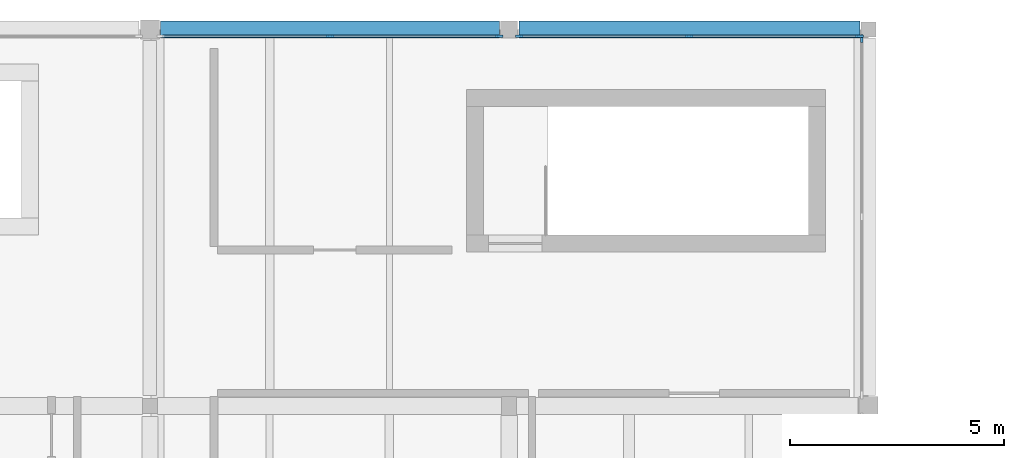
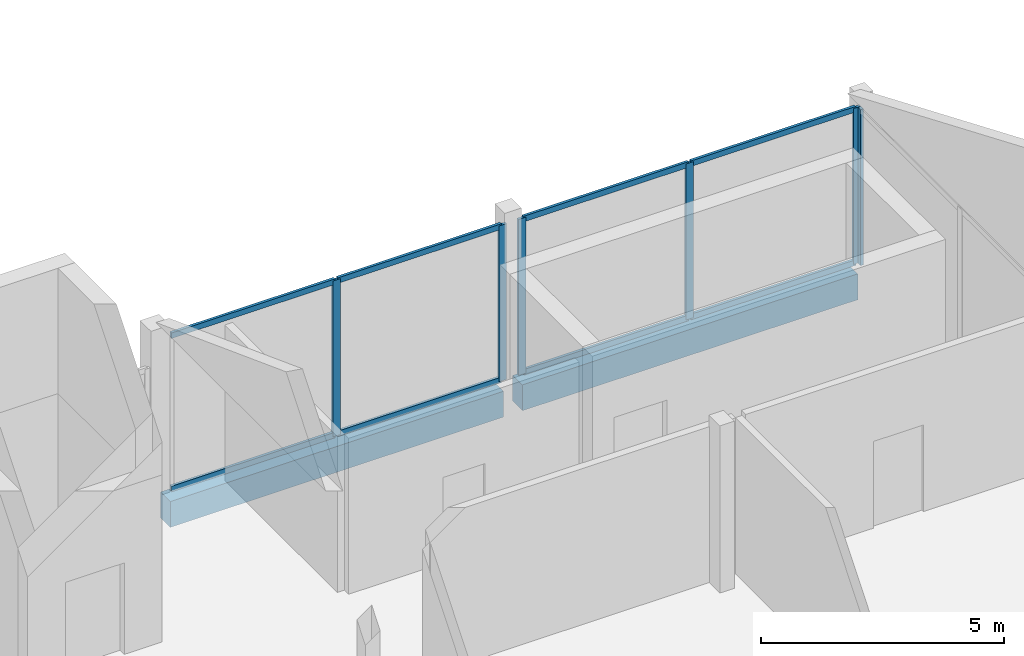
# One storey, part 3 of 13: 14 members, 2 beams, 3 elements without a shape of their own.
"""IFC4 building model written with IfcOpenShell, lengths in metres."""

from ifc_helpers import new_model, si_unit, direction, frame, origin, origin_2d, place, context, subcontext, project, spatial, rectangle, extrude, material, layer, layer_set, material_profile, profile_set, type_object, element, aggregate, save


model = new_model("IFC4")

# Units and contexts
model_context = context("Model", 3, precision=1e-05, world=origin(), true_north=direction((0.0, 1.0)))
body_context = subcontext(model_context, "Body", "Model", "MODEL_VIEW")
ifc_project = project(units=[si_unit("LENGTHUNIT", "METRE"), si_unit("AREAUNIT", "SQUARE_METRE"), si_unit("VOLUMEUNIT", "CUBIC_METRE"), si_unit("PLANEANGLEUNIT", "RADIAN"), si_unit("MASSUNIT", "GRAM", prefix="KILO")], contexts=[model_context])

# Site, building, storey
site_placement = place(None, origin())
site = spatial("IfcSite", under=ifc_project, at=site_placement, CompositionType="ELEMENT")
building_placement = place(site_placement, origin())
building = spatial("IfcBuilding", under=site, at=building_placement, Name="Birchvale Park Specialist Clinic", CompositionType="ELEMENT")
storey_placement = place(building_placement, frame((0.0, 0.0, 22.199951171875)))
storey = spatial("IfcBuildingStorey", under=building, at=storey_placement, Name="L05", CompositionType="ELEMENT", Elevation=22.199951171875)

# Beams
ifc_material_1 = material(Name="Concrete C40/50", Category="concrete")
ifc_material_profile_1 = material_profile(ifc_material_1, rectangle(XDim=0.39990234375, YDim=0.64990234375, at=origin_2d()), Name="RCB-400x650")
ifc_profile_set_1 = profile_set([ifc_material_profile_1], Name="Concrete C40/50")
beam_type = type_object("IfcBeamType", Name="BM-INT-BG4", PredefinedType="BEAM", material=ifc_profile_set_1)
beam_1_placement = place(storey_placement, frame((19.85009765625, 34.60009765625, -0.5849609375), z_axis=(1.0, 0.0, 0.0), x_axis=(0.0, 1.0, 0.0)))
element("IfcBeam", 1, at=beam_1_placement, inside=storey, type_object=beam_type, Name="V2 L05 X girder 8", PredefinedType="BEAM", context=body_context, shape_type="SweptSolid", body=[
    extrude(rectangle(XDim=0.39990234375, YDim=0.64990234375, at=origin_2d()), origin(), (0.0, 0.0, 1.0), 7.9248046875),
])
beam_2_placement = place(storey_placement, frame((28.22509765625, 34.60009765625, -0.5849609375), z_axis=(1.0, 0.0, 0.0), x_axis=(0.0, 1.0, 0.0)))
element("IfcBeam", 2, at=beam_2_placement, inside=storey, type_object=beam_type, Name="V2 L05 X girder 9", PredefinedType="BEAM", context=body_context, shape_type="SweptSolid", body=[
    extrude(rectangle(XDim=0.39990234375, YDim=0.64990234375, at=origin_2d()), origin(), (0.0, 0.0, 1.0), 7.974853515625),
])

# Curtain wall, member
ifc_material_2 = material(Name="Thermally broken anodised aluminium", Category="aluminium")
ifc_layer = layer(ifc_material_2, 0.195068359375)
ifc_layer_set = layer_set([ifc_layer], Name="Thermally broken anodised aluminium")
curtain_wall_type = type_object("IfcCurtainWallType", Name="CW-U2", PredefinedType="USERDEFINED", material=ifc_layer_set)
curtain_wall_1_placement = place(storey_placement, origin())
curtain_wall_1 = element("IfcCurtainWall", 3, at=curtain_wall_1_placement, inside=storey, type_object=curtain_wall_type, Name="V2 L05 glazed curtain wall 146", ObjectType="UNITISED", PredefinedType="USERDEFINED")
ifc_material_profile_2 = material_profile(ifc_material_2, rectangle(XDim=0.06494140625, YDim=0.179931640625, at=origin_2d()), Name="CWM-65x180")
ifc_profile_set_2 = profile_set([ifc_material_profile_2], Name="Thermally broken anodised aluminium")
member_type_1 = type_object("IfcMemberType", Name="CWM2", PredefinedType="MULLION", material=ifc_profile_set_2)
member_1_placement = place(storey_placement, frame((36.2451171875, 34.392578125, 0.0), z_axis=(0.0, 0.0, 1.0), x_axis=(-1.0, 0.0, 0.0)))
member_1 = element("IfcMember", 4, at=member_1_placement, type_object=member_type_1, Name="CW mullion 3", PredefinedType="MULLION", context=body_context, shape_type="SweptSolid", body=[
    extrude(rectangle(XDim=0.06494140625, YDim=0.179931640625, at=origin_2d()), origin(), (0.0, 0.0, 1.0), 3.920166015625),
])
aggregate(curtain_wall_1, [member_1])

# Curtain wall, members
curtain_wall_2_placement = place(storey_placement, origin())
curtain_wall_2 = element("IfcCurtainWall", 5, at=curtain_wall_2_placement, inside=storey, type_object=curtain_wall_type, Name="V2 L05 glazed curtain wall 147", ObjectType="UNITISED", PredefinedType="USERDEFINED")
member_2_placement = place(storey_placement, frame((36.1923828125, 34.445068359375, 0.0), z_axis=(0.0, 0.0, 1.0), x_axis=(0.0, -1.0, 0.0)))
member_2 = element("IfcMember", 6, at=member_2_placement, type_object=member_type_1, Name="CW mullion 1", PredefinedType="MULLION", context=body_context, shape_type="SweptSolid", body=[
    extrude(rectangle(XDim=0.06494140625, YDim=0.179931640625, at=origin_2d()), origin(), (0.0, 0.0, 1.0), 3.920166015625),
])
member_3_placement = place(storey_placement, frame((32.21240234375, 34.445068359375, 0.0), z_axis=(0.0, 0.0, 1.0), x_axis=(0.0, -1.0, 0.0)))
member_3 = element("IfcMember", 7, at=member_3_placement, type_object=member_type_1, Name="CW mullion 2", PredefinedType="MULLION", context=body_context, shape_type="SweptSolid", body=[
    extrude(rectangle(XDim=0.06494140625, YDim=0.179931640625, at=origin_2d()), origin(), (0.0, 0.0, 1.0), 3.920166015625),
])
member_4_placement = place(storey_placement, frame((28.232421875, 34.445068359375, 0.0), z_axis=(0.0, 0.0, 1.0), x_axis=(0.0, -1.0, 0.0)))
member_4 = element("IfcMember", 8, at=member_4_placement, type_object=member_type_1, Name="CW mullion 3", PredefinedType="MULLION", context=body_context, shape_type="SweptSolid", body=[
    extrude(rectangle(XDim=0.06494140625, YDim=0.179931640625, at=origin_2d()), origin(), (0.0, 0.0, 1.0), 3.920166015625),
])

curtain_wall_3_placement = place(storey_placement, origin())
curtain_wall_3 = element("IfcCurtainWall", 9, at=curtain_wall_3_placement, inside=storey, type_object=curtain_wall_type, Name="V2 L05 glazed curtain wall 148", ObjectType="UNITISED", PredefinedType="USERDEFINED")
member_5_placement = place(storey_placement, frame((27.767578125, 34.445068359375, 0.0), z_axis=(0.0, 0.0, 1.0), x_axis=(0.0, -1.0, 0.0)))
member_5 = element("IfcMember", 10, at=member_5_placement, type_object=member_type_1, Name="CW mullion 1", PredefinedType="MULLION", context=body_context, shape_type="SweptSolid", body=[
    extrude(rectangle(XDim=0.06494140625, YDim=0.179931640625, at=origin_2d()), origin(), (0.0, 0.0, 1.0), 3.920166015625),
])
member_6_placement = place(storey_placement, frame((23.8125, 34.445068359375, 0.0), z_axis=(0.0, 0.0, 1.0), x_axis=(0.0, -1.0, 0.0)))
member_6 = element("IfcMember", 11, at=member_6_placement, type_object=member_type_1, Name="CW mullion 2", PredefinedType="MULLION", context=body_context, shape_type="SweptSolid", body=[
    extrude(rectangle(XDim=0.06494140625, YDim=0.179931640625, at=origin_2d()), origin(), (0.0, 0.0, 1.0), 3.920166015625),
])

# Member
ifc_material_profile_3 = material_profile(ifc_material_2, rectangle(XDim=0.06494140625, YDim=0.139892578125, at=origin_2d()), Name="CWT-65x140")
ifc_profile_set_3 = profile_set([ifc_material_profile_3], Name="Thermally broken anodised aluminium")
member_type_2 = type_object("IfcMemberType", Name="CWT2", PredefinedType="USERDEFINED", material=ifc_profile_set_3)
member_7_placement = place(storey_placement, frame((36.159912109375, 34.445068359375, 0.032470703125), z_axis=(-1.0, 0.0, 0.0), x_axis=(0.0, -1.0, 0.0)))
member_7 = element("IfcMember", 12, at=member_7_placement, type_object=member_type_2, Name="CW transom 1.1", ObjectType="TRANSOM", PredefinedType="USERDEFINED", context=body_context, shape_type="SweptSolid", body=[
    extrude(rectangle(XDim=0.06494140625, YDim=0.139892578125, at=origin_2d()), origin(), (0.0, 0.0, 1.0), 3.914794921875),
])

member_8_placement = place(storey_placement, frame((36.159912109375, 34.445068359375, 3.887451171875), z_axis=(-1.0, 0.0, 0.0), x_axis=(0.0, -1.0, 0.0)))
member_8 = element("IfcMember", 13, at=member_8_placement, type_object=member_type_2, Name="CW transom 1.2", ObjectType="TRANSOM", PredefinedType="USERDEFINED", context=body_context, shape_type="SweptSolid", body=[
    extrude(rectangle(XDim=0.06494140625, YDim=0.139892578125, at=origin_2d()), origin(), (0.0, 0.0, 1.0), 3.914794921875),
])

member_9_placement = place(storey_placement, frame((32.179931640625, 34.445068359375, 0.032470703125), z_axis=(-1.0, 0.0, 0.0), x_axis=(0.0, -1.0, 0.0)))
member_9 = element("IfcMember", 14, at=member_9_placement, type_object=member_type_2, Name="CW transom 2.1", ObjectType="TRANSOM", PredefinedType="USERDEFINED", context=body_context, shape_type="SweptSolid", body=[
    extrude(rectangle(XDim=0.06494140625, YDim=0.139892578125, at=origin_2d()), origin(), (0.0, 0.0, 1.0), 3.9150390625),
])

member_10_placement = place(storey_placement, frame((32.179931640625, 34.445068359375, 3.887451171875), z_axis=(-1.0, 0.0, 0.0), x_axis=(0.0, -1.0, 0.0)))
member_10 = element("IfcMember", 15, at=member_10_placement, type_object=member_type_2, Name="CW transom 2.2", ObjectType="TRANSOM", PredefinedType="USERDEFINED", context=body_context, shape_type="SweptSolid", body=[
    extrude(rectangle(XDim=0.06494140625, YDim=0.139892578125, at=origin_2d()), origin(), (0.0, 0.0, 1.0), 3.9150390625),
])

aggregate(curtain_wall_2, [member_2, member_3, member_4, member_7, member_8, member_9, member_10])

member_11_placement = place(storey_placement, frame((27.735107421875, 34.445068359375, 0.032470703125), z_axis=(-1.0, 0.0, 0.0), x_axis=(0.0, -1.0, 0.0)))
member_11 = element("IfcMember", 16, at=member_11_placement, type_object=member_type_2, Name="CW transom 1.1", ObjectType="TRANSOM", PredefinedType="USERDEFINED", context=body_context, shape_type="SweptSolid", body=[
    extrude(rectangle(XDim=0.06494140625, YDim=0.139892578125, at=origin_2d()), origin(), (0.0, 0.0, 1.0), 3.89013671875),
])

member_12_placement = place(storey_placement, frame((27.735107421875, 34.445068359375, 3.887451171875), z_axis=(-1.0, 0.0, 0.0), x_axis=(0.0, -1.0, 0.0)))
member_12 = element("IfcMember", 17, at=member_12_placement, type_object=member_type_2, Name="CW transom 1.2", ObjectType="TRANSOM", PredefinedType="USERDEFINED", context=body_context, shape_type="SweptSolid", body=[
    extrude(rectangle(XDim=0.06494140625, YDim=0.139892578125, at=origin_2d()), origin(), (0.0, 0.0, 1.0), 3.89013671875),
])

member_13_placement = place(storey_placement, frame((23.780029296875, 34.445068359375, 0.032470703125), z_axis=(-1.0, 0.0, 0.0), x_axis=(0.0, -1.0, 0.0)))
member_13 = element("IfcMember", 18, at=member_13_placement, type_object=member_type_2, Name="CW transom 2.1", ObjectType="TRANSOM", PredefinedType="USERDEFINED", context=body_context, shape_type="SweptSolid", body=[
    extrude(rectangle(XDim=0.06494140625, YDim=0.139892578125, at=origin_2d()), origin(), (0.0, 0.0, 1.0), 3.89013671875),
])

member_14_placement = place(storey_placement, frame((23.780029296875, 34.445068359375, 3.887451171875), z_axis=(-1.0, 0.0, 0.0), x_axis=(0.0, -1.0, 0.0)))
member_14 = element("IfcMember", 19, at=member_14_placement, type_object=member_type_2, Name="CW transom 2.2", ObjectType="TRANSOM", PredefinedType="USERDEFINED", context=body_context, shape_type="SweptSolid", body=[
    extrude(rectangle(XDim=0.06494140625, YDim=0.139892578125, at=origin_2d()), origin(), (0.0, 0.0, 1.0), 3.89013671875),
])

aggregate(curtain_wall_3, [member_5, member_6, member_11, member_12, member_13, member_14])

save(model, "model.ifc")
